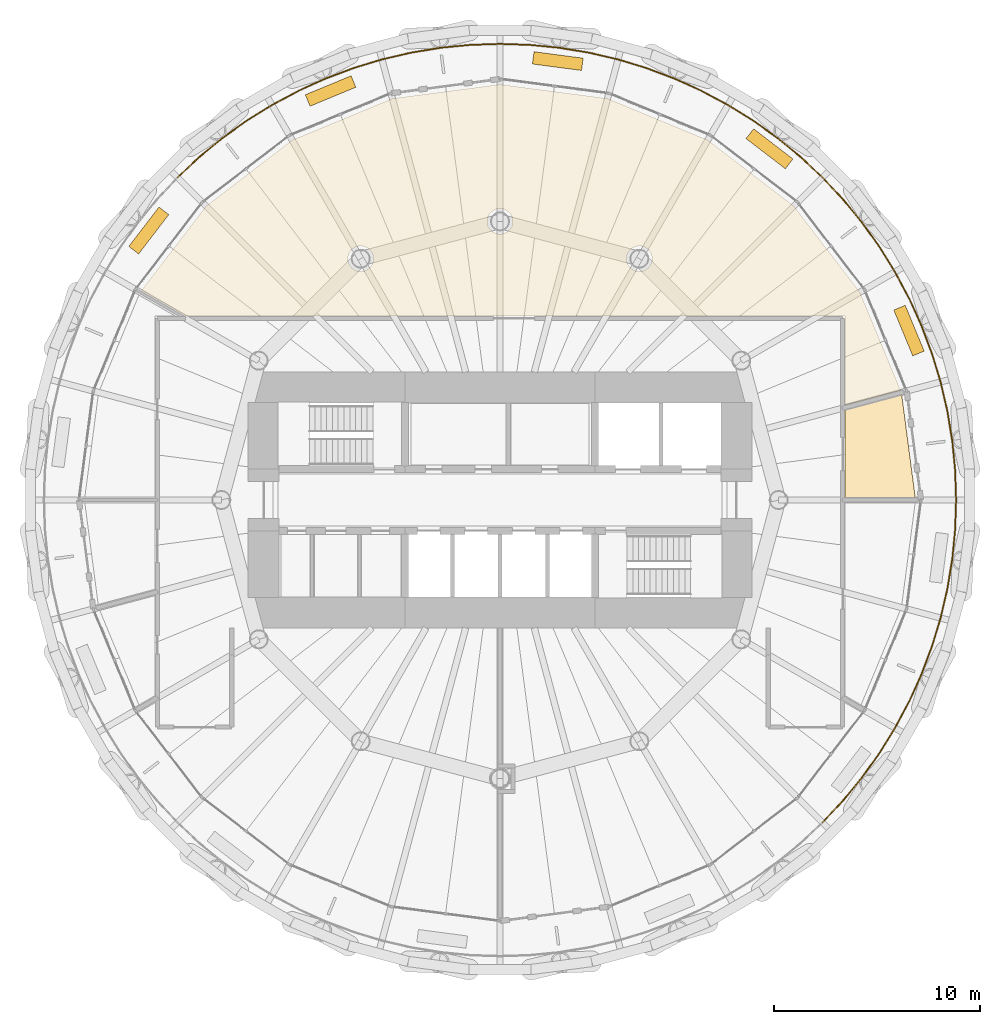
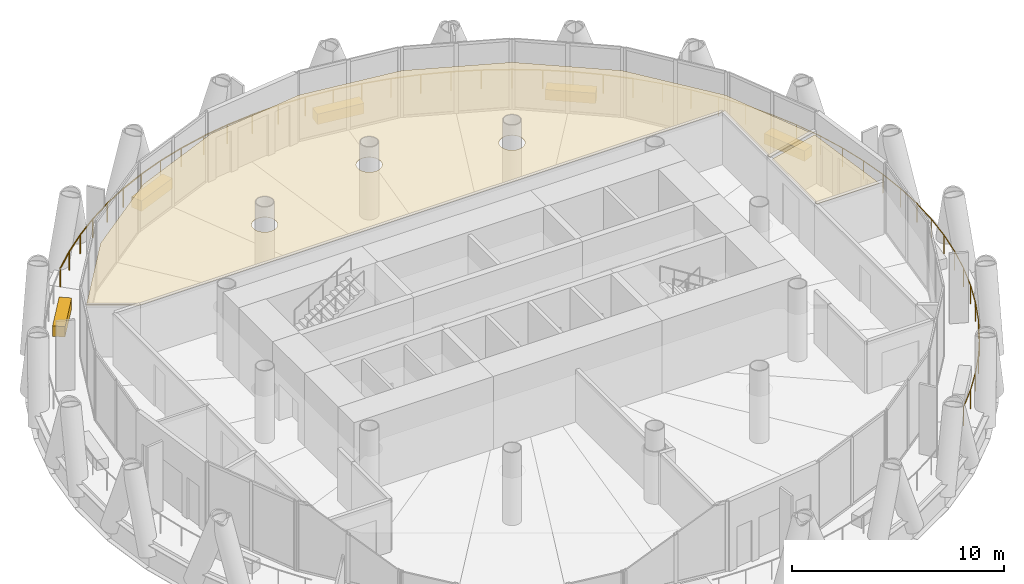
# One storey, part 14 of 14: 7 coverings, 2 railings.
"""IFC4 building model written with IfcOpenShell, lengths in metres."""

from ifc_helpers import new_model, si_unit, direction, frame, origin, origin_2d, place, context, subcontext, project, spatial, polyline, rectangle, circle, outline, extrude, material, layer, layer_set, type_object, element, save


model = new_model("IFC4")

# Units and contexts
model_context = context("Model", 3, precision=1e-05, world=origin(), true_north=direction((0.0, 1.0)))
body_context = subcontext(model_context, "Body", "Model", "MODEL_VIEW")
ifc_project = project(units=[si_unit("LENGTHUNIT", "METRE"), si_unit("AREAUNIT", "SQUARE_METRE"), si_unit("VOLUMEUNIT", "CUBIC_METRE"), si_unit("PLANEANGLEUNIT", "RADIAN"), si_unit("MASSUNIT", "GRAM", prefix="KILO")], contexts=[model_context])

# Site, building, storey
site_placement = place(None, origin())
site = spatial("IfcSite", under=ifc_project, at=site_placement, CompositionType="ELEMENT")
building_placement = place(site_placement, origin())
building = spatial("IfcBuilding", under=site, at=building_placement, Name="Qaws Media Tower", CompositionType="ELEMENT")
storey_placement = place(building_placement, frame((0.0, 0.0, 215.0)))
storey = spatial("IfcBuildingStorey", under=building, at=storey_placement, Name="L49", CompositionType="ELEMENT", Elevation=215.0)

# Railings
ifc_material_1 = material(Name="Stainless steel and glass guard", Category="steel")
railing_type = type_object("IfcRailingType", Name="Balcony guard 1100", PredefinedType="GUARDRAIL", material=ifc_material_1)
railing_1_placement = place(storey_placement, frame((75.626953125, 65.626953125, 0.0)))
element("IfcRailing", 1, at=railing_1_placement, inside=storey, type_object=railing_type, Name="GR1 balcony guard L49-1", PredefinedType="GUARDRAIL", context=body_context, shape_type="SweptSolid", body=[
    extrude(circle(Radius=0.02392578125, at=origin_2d()), frame((0.0, 0.0, 1.076171875), z_axis=(-0.729774058644, 0.68368839637, 0.0), x_axis=(-0.68368839637, -0.729774058644, 0.0)), (0.0, 0.0, 1.0), 1.4462890625),
    extrude(circle(Radius=0.02392578125, at=origin_2d()), frame((-1.055419921875, 0.98876953125, 1.076171875), z_axis=(-0.773001196488, 0.63440456353, 0.0), x_axis=(-0.63440456353, -0.773001196488, 0.0)), (0.0, 0.0, 1.0), 1.4462890625),
    extrude(circle(Radius=0.02392578125, at=origin_2d()), frame((-2.17333984375, 1.90625, 1.076171875), z_axis=(-0.81287707376, 0.582435286495, 0.0), x_axis=(-0.582435286495, -0.81287707376, 0.0)), (0.0, 0.0, 1.0), 1.446044921875),
    extrude(circle(Radius=0.02392578125, at=origin_2d()), frame((-3.348876953125, 2.74853515625, 1.076171875), z_axis=(-0.849191203705, 0.528085504014, 0.0), x_axis=(-0.528085504014, -0.849191203705, 0.0)), (0.0, 0.0, 1.0), 1.446044921875),
    extrude(circle(Radius=0.02392578125, at=origin_2d()), frame((-4.576904296875, 3.51220703125, 1.076171875), z_axis=(-0.881941349083, 0.471359159005, 0.0), x_axis=(-0.471359159005, -0.881941349083, 0.0)), (0.0, 0.0, 1.0), 1.446044921875),
    extrude(circle(Radius=0.02392578125, at=origin_2d()), frame((-5.852294921875, 4.19384765625, 1.076171875), z_axis=(-0.91085721218, 0.412721624125, 0.0), x_axis=(-0.412721624125, -0.91085721218, 0.0)), (0.0, 0.0, 1.0), 1.4462890625),
    extrude(circle(Radius=0.02392578125, at=origin_2d()), frame((-7.169677734375, 4.790771484375, 1.076171875), z_axis=(-0.935884434721, 0.35230714561, 0.0), x_axis=(-0.35230714561, -0.935884434721, 0.0)), (0.0, 0.0, 1.0), 1.4462890625),
    extrude(circle(Radius=0.02392578125, at=origin_2d()), frame((-8.523193359375, 5.30029296875, 1.076171875), z_axis=(-0.956957640218, 0.290227625888, 0.0), x_axis=(-0.290227625888, -0.956957640218, 0.0)), (0.0, 0.0, 1.0), 1.446044921875),
    extrude(circle(Radius=0.02392578125, at=origin_2d()), frame((-9.906982421875, 5.719970703125, 1.076171875), z_axis=(-0.97388228529, 0.227053505584, 0.0), x_axis=(-0.227053505584, -0.97388228529, 0.0)), (0.0, 0.0, 1.0), 1.4462890625),
    extrude(circle(Radius=0.02392578125, at=origin_2d()), frame((-11.3154296875, 6.04833984375, 1.076171875), z_axis=(-0.986643695772, 0.162893270559, 0.0), x_axis=(-0.162893270559, -0.986643695772, 0.0)), (0.0, 0.0, 1.0), 1.4462890625),
    extrude(circle(Radius=0.02392578125, at=origin_2d()), frame((-12.742431640625, 6.283935546875, 1.076171875), z_axis=(-0.995178249928, 0.098082877559, 0.0), x_axis=(-0.098082877559, -0.995178249928, 0.0)), (0.0, 0.0, 1.0), 1.4462890625),
    extrude(circle(Radius=0.02392578125, at=origin_2d()), frame((-14.181640625, 6.42578125, 1.076171875), z_axis=(-0.999463486772, 0.032752688587, 0.0), x_axis=(-0.032752688587, -0.999463486772, 0.0)), (0.0, 0.0, 1.0), 1.446044921875),
    extrude(circle(Radius=0.02392578125, at=origin_2d()), frame((-15.626953125, 6.47314453125, 1.076171875), z_axis=(-0.999463486772, -0.032752688587, 0.0), x_axis=(0.032752688587, -0.999463486772, 0.0)), (0.0, 0.0, 1.0), 1.446044921875),
    extrude(circle(Radius=0.02392578125, at=origin_2d()), frame((-17.072265625, 6.42578125, 1.076171875), z_axis=(-0.995178249928, -0.098082877559, 0.0), x_axis=(0.098082877559, -0.995178249928, 0.0)), (0.0, 0.0, 1.0), 1.4462890625),
    extrude(circle(Radius=0.02392578125, at=origin_2d()), frame((-18.511474609375, 6.283935546875, 1.076171875), z_axis=(-0.986643695772, -0.162893270559, 0.0), x_axis=(0.162893270559, -0.986643695772, 0.0)), (0.0, 0.0, 1.0), 1.4462890625),
    extrude(circle(Radius=0.02392578125, at=origin_2d()), frame((-19.9384765625, 6.04833984375, 1.076171875), z_axis=(-0.97388228529, -0.227053505584, 0.0), x_axis=(0.227053505584, -0.97388228529, 0.0)), (0.0, 0.0, 1.0), 1.4462890625),
    extrude(circle(Radius=0.02392578125, at=origin_2d()), frame((-21.346923828125, 5.719970703125, 1.076171875), z_axis=(-0.956957640218, -0.290227625888, 0.0), x_axis=(0.290227625888, -0.956957640218, 0.0)), (0.0, 0.0, 1.0), 1.446044921875),
    extrude(circle(Radius=0.02392578125, at=origin_2d()), frame((-22.730712890625, 5.30029296875, 1.076171875), z_axis=(-0.935884434721, -0.35230714561, 0.0), x_axis=(0.35230714561, -0.935884434721, 0.0)), (0.0, 0.0, 1.0), 1.4462890625),
    extrude(circle(Radius=0.02392578125, at=origin_2d()), frame((-24.084228515625, 4.790771484375, 1.076171875), z_axis=(-0.91085721218, -0.412721624125, 0.0), x_axis=(0.412721624125, -0.91085721218, 0.0)), (0.0, 0.0, 1.0), 1.4462890625),
    extrude(circle(Radius=0.02392578125, at=origin_2d()), frame((-25.401611328125, 4.19384765625, 1.076171875), z_axis=(-0.881941349083, -0.471359159005, 0.0), x_axis=(0.471359159005, -0.881941349083, 0.0)), (0.0, 0.0, 1.0), 1.446044921875),
    extrude(circle(Radius=0.02392578125, at=origin_2d()), frame((-26.677001953125, 3.51220703125, 1.076171875), z_axis=(-0.849191203705, -0.528085504014, 0.0), x_axis=(0.528085504014, -0.849191203705, 0.0)), (0.0, 0.0, 1.0), 1.446044921875),
    extrude(circle(Radius=0.02392578125, at=origin_2d()), frame((-27.905029296875, 2.74853515625, 1.076171875), z_axis=(-0.81287707376, -0.582435286495, 0.0), x_axis=(0.582435286495, -0.81287707376, 0.0)), (0.0, 0.0, 1.0), 1.446044921875),
    extrude(circle(Radius=0.02392578125, at=origin_2d()), frame((-29.08056640625, 1.90625, 1.076171875), z_axis=(-0.773001196488, -0.63440456353, 0.0), x_axis=(0.63440456353, -0.773001196488, 0.0)), (0.0, 0.0, 1.0), 1.4462890625),
    extrude(circle(Radius=0.02392578125, at=origin_2d()), frame((-30.198486328125, 0.98876953125, 1.076171875), z_axis=(-0.729774058644, -0.68368839637, 0.0), x_axis=(0.68368839637, -0.729774058644, 0.0)), (0.0, 0.0, 1.0), 1.4462890625),
    extrude(circle(Radius=0.02099609375, at=origin_2d()), origin(), (0.0, 0.0, 1.0), 1.052001953125),
    extrude(circle(Radius=0.02099609375, at=origin_2d()), frame((-1.055419921875, 0.98876953125, 0.0)), (0.0, 0.0, 1.0), 1.052001953125),
    extrude(circle(Radius=0.02099609375, at=origin_2d()), frame((-2.17333984375, 1.90625, 0.0)), (0.0, 0.0, 1.0), 1.052001953125),
    extrude(circle(Radius=0.02099609375, at=origin_2d()), frame((-3.348876953125, 2.74853515625, 0.0)), (0.0, 0.0, 1.0), 1.052001953125),
    extrude(circle(Radius=0.02099609375, at=origin_2d()), frame((-4.576904296875, 3.51220703125, 0.0)), (0.0, 0.0, 1.0), 1.052001953125),
    extrude(circle(Radius=0.02099609375, at=origin_2d()), frame((-5.852294921875, 4.19384765625, 0.0)), (0.0, 0.0, 1.0), 1.052001953125),
    extrude(circle(Radius=0.02099609375, at=origin_2d()), frame((-7.169677734375, 4.790771484375, 0.0)), (0.0, 0.0, 1.0), 1.052001953125),
    extrude(circle(Radius=0.02099609375, at=origin_2d()), frame((-8.523193359375, 5.30029296875, 0.0)), (0.0, 0.0, 1.0), 1.052001953125),
    extrude(circle(Radius=0.02099609375, at=origin_2d()), frame((-9.906982421875, 5.719970703125, 0.0)), (0.0, 0.0, 1.0), 1.052001953125),
    extrude(circle(Radius=0.02099609375, at=origin_2d()), frame((-11.3154296875, 6.04833984375, 0.0)), (0.0, 0.0, 1.0), 1.052001953125),
    extrude(circle(Radius=0.02099609375, at=origin_2d()), frame((-12.742431640625, 6.283935546875, 0.0)), (0.0, 0.0, 1.0), 1.052001953125),
    extrude(circle(Radius=0.02099609375, at=origin_2d()), frame((-14.181640625, 6.42578125, 0.0)), (0.0, 0.0, 1.0), 1.052001953125),
    extrude(circle(Radius=0.02099609375, at=origin_2d()), frame((-15.626953125, 6.47314453125, 0.0)), (0.0, 0.0, 1.0), 1.052001953125),
    extrude(circle(Radius=0.02099609375, at=origin_2d()), frame((-17.072265625, 6.42578125, 0.0)), (0.0, 0.0, 1.0), 1.052001953125),
    extrude(circle(Radius=0.02099609375, at=origin_2d()), frame((-18.511474609375, 6.283935546875, 0.0)), (0.0, 0.0, 1.0), 1.052001953125),
    extrude(circle(Radius=0.02099609375, at=origin_2d()), frame((-19.9384765625, 6.04833984375, 0.0)), (0.0, 0.0, 1.0), 1.052001953125),
    extrude(circle(Radius=0.02099609375, at=origin_2d()), frame((-21.346923828125, 5.719970703125, 0.0)), (0.0, 0.0, 1.0), 1.052001953125),
    extrude(circle(Radius=0.02099609375, at=origin_2d()), frame((-22.730712890625, 5.30029296875, 0.0)), (0.0, 0.0, 1.0), 1.052001953125),
    extrude(circle(Radius=0.02099609375, at=origin_2d()), frame((-24.084228515625, 4.790771484375, 0.0)), (0.0, 0.0, 1.0), 1.052001953125),
    extrude(circle(Radius=0.02099609375, at=origin_2d()), frame((-25.401611328125, 4.19384765625, 0.0)), (0.0, 0.0, 1.0), 1.052001953125),
    extrude(circle(Radius=0.02099609375, at=origin_2d()), frame((-26.677001953125, 3.51220703125, 0.0)), (0.0, 0.0, 1.0), 1.052001953125),
    extrude(circle(Radius=0.02099609375, at=origin_2d()), frame((-27.905029296875, 2.74853515625, 0.0)), (0.0, 0.0, 1.0), 1.052001953125),
    extrude(circle(Radius=0.02099609375, at=origin_2d()), frame((-29.08056640625, 1.90625, 0.0)), (0.0, 0.0, 1.0), 1.052001953125),
    extrude(circle(Radius=0.02099609375, at=origin_2d()), frame((-30.198486328125, 0.98876953125, 0.0)), (0.0, 0.0, 1.0), 1.052001953125),
    extrude(circle(Radius=0.02099609375, at=origin_2d()), frame((-31.25390625, 0.0, 0.0)), (0.0, 0.0, 1.0), 1.052001953125),
])
railing_2_placement = place(storey_placement, frame((75.626953125, 34.373046875, 0.0)))
element("IfcRailing", 2, at=railing_2_placement, inside=storey, type_object=railing_type, Name="GR1 balcony guard L49-4", PredefinedType="GUARDRAIL", context=body_context, shape_type="SweptSolid", body=[
    extrude(circle(Radius=0.02392578125, at=origin_2d()), frame((0.0, 0.0, 1.076171875), z_axis=(0.68368839637, 0.729774058644, 0.0), x_axis=(-0.729774058644, 0.68368839637, 0.0)), (0.0, 0.0, 1.0), 1.4462890625),
    extrude(circle(Radius=0.02392578125, at=origin_2d()), frame((0.98876953125, 1.055419921875, 1.076171875), z_axis=(0.63440456353, 0.773001196488, 0.0), x_axis=(-0.773001196488, 0.63440456353, 0.0)), (0.0, 0.0, 1.0), 1.4462890625),
    extrude(circle(Radius=0.02392578125, at=origin_2d()), frame((1.90625, 2.17333984375, 1.076171875), z_axis=(0.582435286495, 0.81287707376, 0.0), x_axis=(-0.81287707376, 0.582435286495, 0.0)), (0.0, 0.0, 1.0), 1.446044921875),
    extrude(circle(Radius=0.02392578125, at=origin_2d()), frame((2.74853515625, 3.348876953125, 1.076171875), z_axis=(0.528085504014, 0.849191203705, 0.0), x_axis=(-0.849191203705, 0.528085504014, 0.0)), (0.0, 0.0, 1.0), 1.446044921875),
    extrude(circle(Radius=0.02392578125, at=origin_2d()), frame((3.51220703125, 4.576904296875, 1.076171875), z_axis=(0.471359159005, 0.881941349083, 0.0), x_axis=(-0.881941349083, 0.471359159005, 0.0)), (0.0, 0.0, 1.0), 1.446044921875),
    extrude(circle(Radius=0.02392578125, at=origin_2d()), frame((4.19384765625, 5.852294921875, 1.076171875), z_axis=(0.412721624125, 0.91085721218, 0.0), x_axis=(-0.91085721218, 0.412721624125, 0.0)), (0.0, 0.0, 1.0), 1.4462890625),
    extrude(circle(Radius=0.02392578125, at=origin_2d()), frame((4.790771484375, 7.169677734375, 1.076171875), z_axis=(0.35230714561, 0.935884434721, 0.0), x_axis=(-0.935884434721, 0.35230714561, 0.0)), (0.0, 0.0, 1.0), 1.4462890625),
    extrude(circle(Radius=0.02392578125, at=origin_2d()), frame((5.30029296875, 8.523193359375, 1.076171875), z_axis=(0.290227625888, 0.956957640218, 0.0), x_axis=(-0.956957640218, 0.290227625888, 0.0)), (0.0, 0.0, 1.0), 1.446044921875),
    extrude(circle(Radius=0.02392578125, at=origin_2d()), frame((5.719970703125, 9.906982421875, 1.076171875), z_axis=(0.227053505584, 0.97388228529, 0.0), x_axis=(-0.97388228529, 0.227053505584, 0.0)), (0.0, 0.0, 1.0), 1.4462890625),
    extrude(circle(Radius=0.02392578125, at=origin_2d()), frame((6.04833984375, 11.3154296875, 1.076171875), z_axis=(0.162893270559, 0.986643695772, 0.0), x_axis=(-0.986643695772, 0.162893270559, 0.0)), (0.0, 0.0, 1.0), 1.4462890625),
    extrude(circle(Radius=0.02392578125, at=origin_2d()), frame((6.283935546875, 12.742431640625, 1.076171875), z_axis=(0.098082877559, 0.995178249928, 0.0), x_axis=(-0.995178249928, 0.098082877559, 0.0)), (0.0, 0.0, 1.0), 1.4462890625),
    extrude(circle(Radius=0.02392578125, at=origin_2d()), frame((6.42578125, 14.181640625, 1.076171875), z_axis=(0.032752688587, 0.999463486772, 0.0), x_axis=(-0.999463486772, 0.032752688587, 0.0)), (0.0, 0.0, 1.0), 1.446044921875),
    extrude(circle(Radius=0.02392578125, at=origin_2d()), frame((6.47314453125, 15.626953125, 1.076171875), z_axis=(-0.032752688587, 0.999463486772, 0.0), x_axis=(-0.999463486772, -0.032752688587, 0.0)), (0.0, 0.0, 1.0), 1.446044921875),
    extrude(circle(Radius=0.02392578125, at=origin_2d()), frame((6.42578125, 17.072265625, 1.076171875), z_axis=(-0.098082877559, 0.995178249928, 0.0), x_axis=(-0.995178249928, -0.098082877559, 0.0)), (0.0, 0.0, 1.0), 1.4462890625),
    extrude(circle(Radius=0.02392578125, at=origin_2d()), frame((6.283935546875, 18.511474609375, 1.076171875), z_axis=(-0.162893270559, 0.986643695772, 0.0), x_axis=(-0.986643695772, -0.162893270559, 0.0)), (0.0, 0.0, 1.0), 1.4462890625),
    extrude(circle(Radius=0.02392578125, at=origin_2d()), frame((6.04833984375, 19.9384765625, 1.076171875), z_axis=(-0.227053505584, 0.97388228529, 0.0), x_axis=(-0.97388228529, -0.227053505584, 0.0)), (0.0, 0.0, 1.0), 1.4462890625),
    extrude(circle(Radius=0.02392578125, at=origin_2d()), frame((5.719970703125, 21.346923828125, 1.076171875), z_axis=(-0.290227625888, 0.956957640218, 0.0), x_axis=(-0.956957640218, -0.290227625888, 0.0)), (0.0, 0.0, 1.0), 1.446044921875),
    extrude(circle(Radius=0.02392578125, at=origin_2d()), frame((5.30029296875, 22.730712890625, 1.076171875), z_axis=(-0.35230714561, 0.935884434721, 0.0), x_axis=(-0.935884434721, -0.35230714561, 0.0)), (0.0, 0.0, 1.0), 1.4462890625),
    extrude(circle(Radius=0.02392578125, at=origin_2d()), frame((4.790771484375, 24.084228515625, 1.076171875), z_axis=(-0.412721624125, 0.91085721218, 0.0), x_axis=(-0.91085721218, -0.412721624125, 0.0)), (0.0, 0.0, 1.0), 1.4462890625),
    extrude(circle(Radius=0.02392578125, at=origin_2d()), frame((4.19384765625, 25.401611328125, 1.076171875), z_axis=(-0.471359159005, 0.881941349083, 0.0), x_axis=(-0.881941349083, -0.471359159005, 0.0)), (0.0, 0.0, 1.0), 1.446044921875),
    extrude(circle(Radius=0.02392578125, at=origin_2d()), frame((3.51220703125, 26.677001953125, 1.076171875), z_axis=(-0.528085504014, 0.849191203705, 0.0), x_axis=(-0.849191203705, -0.528085504014, 0.0)), (0.0, 0.0, 1.0), 1.446044921875),
    extrude(circle(Radius=0.02392578125, at=origin_2d()), frame((2.74853515625, 27.905029296875, 1.076171875), z_axis=(-0.582435286495, 0.81287707376, 0.0), x_axis=(-0.81287707376, -0.582435286495, 0.0)), (0.0, 0.0, 1.0), 1.446044921875),
    extrude(circle(Radius=0.02392578125, at=origin_2d()), frame((1.90625, 29.08056640625, 1.076171875), z_axis=(-0.63440456353, 0.773001196488, 0.0), x_axis=(-0.773001196488, -0.63440456353, 0.0)), (0.0, 0.0, 1.0), 1.4462890625),
    extrude(circle(Radius=0.02392578125, at=origin_2d()), frame((0.98876953125, 30.198486328125, 1.076171875), z_axis=(-0.68368839637, 0.729774058644, 0.0), x_axis=(-0.729774058644, -0.68368839637, 0.0)), (0.0, 0.0, 1.0), 1.4462890625),
    extrude(circle(Radius=0.02099609375, at=origin_2d()), origin(), (0.0, 0.0, 1.0), 1.052001953125),
    extrude(circle(Radius=0.02099609375, at=origin_2d()), frame((0.98876953125, 1.055419921875, 0.0)), (0.0, 0.0, 1.0), 1.052001953125),
    extrude(circle(Radius=0.02099609375, at=origin_2d()), frame((1.90625, 2.17333984375, 0.0)), (0.0, 0.0, 1.0), 1.052001953125),
    extrude(circle(Radius=0.02099609375, at=origin_2d()), frame((2.74853515625, 3.348876953125, 0.0)), (0.0, 0.0, 1.0), 1.052001953125),
    extrude(circle(Radius=0.02099609375, at=origin_2d()), frame((3.51220703125, 4.576904296875, 0.0)), (0.0, 0.0, 1.0), 1.052001953125),
    extrude(circle(Radius=0.02099609375, at=origin_2d()), frame((4.19384765625, 5.852294921875, 0.0)), (0.0, 0.0, 1.0), 1.052001953125),
    extrude(circle(Radius=0.02099609375, at=origin_2d()), frame((4.790771484375, 7.169677734375, 0.0)), (0.0, 0.0, 1.0), 1.052001953125),
    extrude(circle(Radius=0.02099609375, at=origin_2d()), frame((5.30029296875, 8.523193359375, 0.0)), (0.0, 0.0, 1.0), 1.052001953125),
    extrude(circle(Radius=0.02099609375, at=origin_2d()), frame((5.719970703125, 9.906982421875, 0.0)), (0.0, 0.0, 1.0), 1.052001953125),
    extrude(circle(Radius=0.02099609375, at=origin_2d()), frame((6.04833984375, 11.3154296875, 0.0)), (0.0, 0.0, 1.0), 1.052001953125),
    extrude(circle(Radius=0.02099609375, at=origin_2d()), frame((6.283935546875, 12.742431640625, 0.0)), (0.0, 0.0, 1.0), 1.052001953125),
    extrude(circle(Radius=0.02099609375, at=origin_2d()), frame((6.42578125, 14.181640625, 0.0)), (0.0, 0.0, 1.0), 1.052001953125),
    extrude(circle(Radius=0.02099609375, at=origin_2d()), frame((6.47314453125, 15.626953125, 0.0)), (0.0, 0.0, 1.0), 1.052001953125),
    extrude(circle(Radius=0.02099609375, at=origin_2d()), frame((6.42578125, 17.072265625, 0.0)), (0.0, 0.0, 1.0), 1.052001953125),
    extrude(circle(Radius=0.02099609375, at=origin_2d()), frame((6.283935546875, 18.511474609375, 0.0)), (0.0, 0.0, 1.0), 1.052001953125),
    extrude(circle(Radius=0.02099609375, at=origin_2d()), frame((6.04833984375, 19.9384765625, 0.0)), (0.0, 0.0, 1.0), 1.052001953125),
    extrude(circle(Radius=0.02099609375, at=origin_2d()), frame((5.719970703125, 21.346923828125, 0.0)), (0.0, 0.0, 1.0), 1.052001953125),
    extrude(circle(Radius=0.02099609375, at=origin_2d()), frame((5.30029296875, 22.730712890625, 0.0)), (0.0, 0.0, 1.0), 1.052001953125),
    extrude(circle(Radius=0.02099609375, at=origin_2d()), frame((4.790771484375, 24.084228515625, 0.0)), (0.0, 0.0, 1.0), 1.052001953125),
    extrude(circle(Radius=0.02099609375, at=origin_2d()), frame((4.19384765625, 25.401611328125, 0.0)), (0.0, 0.0, 1.0), 1.052001953125),
    extrude(circle(Radius=0.02099609375, at=origin_2d()), frame((3.51220703125, 26.677001953125, 0.0)), (0.0, 0.0, 1.0), 1.052001953125),
    extrude(circle(Radius=0.02099609375, at=origin_2d()), frame((2.74853515625, 27.905029296875, 0.0)), (0.0, 0.0, 1.0), 1.052001953125),
    extrude(circle(Radius=0.02099609375, at=origin_2d()), frame((1.90625, 29.08056640625, 0.0)), (0.0, 0.0, 1.0), 1.052001953125),
    extrude(circle(Radius=0.02099609375, at=origin_2d()), frame((0.98876953125, 30.198486328125, 0.0)), (0.0, 0.0, 1.0), 1.052001953125),
    extrude(circle(Radius=0.02099609375, at=origin_2d()), frame((0.0, 31.25390625, 0.0)), (0.0, 0.0, 1.0), 1.052001953125),
])

# Coverings
ifc_material_2 = material(Name="600 x 600 mineral fibre tiles in exposed grid, suspended", Category="mineral fibre")
ifc_layer_1 = layer(ifc_material_2, 0.02001953125)
ifc_layer_set_1 = layer_set([ifc_layer_1], Name="Mineral fibre tile ceiling 20")
covering_type_1 = type_object("IfcCoveringType", Name="Mineral fibre tile ceiling 20", PredefinedType="CEILING", material=ifc_layer_set_1)
covering_1_placement = place(storey_placement, frame((0.0, 0.0, 2.85009765625)))
element("IfcCovering", 3, at=covering_1_placement, inside=storey, type_object=covering_type_1, Name="CL1 ceiling L49-03 Tenant office", PredefinedType="CEILING", context=body_context, shape_type="SweptSolid", body=[
    extrude(outline(polyline([(45.76220703125, 64.23779296875), (49.932373046875, 67.4375), (54.78857421875, 69.44921875), (60.0, 70.13525390625), (65.21142578125, 69.44921875), (70.067626953125, 67.4375), (74.23779296875, 64.23779296875), (77.4375, 60.067626953125), (79.40576171875, 55.316162109375), (76.71240234375, 54.594482421875), (76.71240234375, 58.91259765625), (44.7880859375, 58.91259765625), (42.631591796875, 60.15771484375), (45.76220703125, 64.23779296875)]), holes=[polyline([(53.820068359375, 61.455078125), (53.845947265625, 61.53173828125), (53.86181640625, 61.61083984375), (53.866943359375, 61.69140625), (53.86181640625, 61.77197265625), (53.845947265625, 61.85107421875), (53.820068359375, 61.927490234375), (53.7841796875, 61.999755859375), (53.739501953125, 62.06689453125), (53.686279296875, 62.127685546875), (53.62548828125, 62.180908203125), (53.55859375, 62.2255859375), (53.486083984375, 62.261474609375), (53.40966796875, 62.287353515625), (53.33056640625, 62.302978515625), (53.25, 62.308349609375), (53.16943359375, 62.302978515625), (53.09033203125, 62.287353515625), (53.013916015625, 62.261474609375), (52.94140625, 62.2255859375), (52.87451171875, 62.180908203125), (52.813720703125, 62.127685546875), (52.760498046875, 62.06689453125), (52.7158203125, 61.999755859375), (52.679931640625, 61.927490234375), (52.654052734375, 61.85107421875), (52.63818359375, 61.77197265625), (52.633056640625, 61.69140625), (52.63818359375, 61.61083984375), (52.654052734375, 61.53173828125), (52.679931640625, 61.455078125), (52.7158203125, 61.3828125), (52.760498046875, 61.315673828125), (52.813720703125, 61.255126953125), (52.87451171875, 61.201904296875), (52.94140625, 61.156982421875), (53.013916015625, 61.121337890625), (53.09033203125, 61.095458984375), (53.16943359375, 61.07958984375), (53.25, 61.07421875), (53.33056640625, 61.07958984375), (53.40966796875, 61.095458984375), (53.486083984375, 61.121337890625), (53.55859375, 61.156982421875), (53.62548828125, 61.201904296875), (53.686279296875, 61.255126953125), (53.739501953125, 61.315673828125), (53.7841796875, 61.3828125), (53.820068359375, 61.455078125)]), polyline([(60.570068359375, 63.263916015625), (60.595947265625, 63.34033203125), (60.61181640625, 63.41943359375), (60.616943359375, 63.5), (60.61181640625, 63.58056640625), (60.595947265625, 63.65966796875), (60.570068359375, 63.736083984375), (60.5341796875, 63.80859375), (60.489501953125, 63.87548828125), (60.436279296875, 63.936279296875), (60.37548828125, 63.989501953125), (60.30859375, 64.0341796875), (60.236083984375, 64.070068359375), (60.15966796875, 64.095947265625), (60.08056640625, 64.11181640625), (60.0, 64.116943359375), (59.91943359375, 64.11181640625), (59.84033203125, 64.095947265625), (59.763916015625, 64.070068359375), (59.69140625, 64.0341796875), (59.62451171875, 63.989501953125), (59.563720703125, 63.936279296875), (59.510498046875, 63.87548828125), (59.4658203125, 63.80859375), (59.429931640625, 63.736083984375), (59.404052734375, 63.65966796875), (59.38818359375, 63.58056640625), (59.383056640625, 63.5), (59.38818359375, 63.41943359375), (59.404052734375, 63.34033203125), (59.429931640625, 63.263916015625), (59.4658203125, 63.19140625), (59.510498046875, 63.12451171875), (59.563720703125, 63.063720703125), (59.62451171875, 63.010498046875), (59.69140625, 62.9658203125), (59.763916015625, 62.929931640625), (59.84033203125, 62.904052734375), (59.91943359375, 62.88818359375), (60.0, 62.883056640625), (60.08056640625, 62.88818359375), (60.15966796875, 62.904052734375), (60.236083984375, 62.929931640625), (60.30859375, 62.9658203125), (60.37548828125, 63.010498046875), (60.436279296875, 63.063720703125), (60.489501953125, 63.12451171875), (60.5341796875, 63.19140625), (60.570068359375, 63.263916015625)]), polyline([(67.320068359375, 61.455078125), (67.345947265625, 61.53173828125), (67.36181640625, 61.61083984375), (67.366943359375, 61.69140625), (67.36181640625, 61.77197265625), (67.345947265625, 61.85107421875), (67.320068359375, 61.927490234375), (67.2841796875, 61.999755859375), (67.239501953125, 62.06689453125), (67.186279296875, 62.127685546875), (67.12548828125, 62.180908203125), (67.05859375, 62.2255859375), (66.986083984375, 62.261474609375), (66.90966796875, 62.287353515625), (66.83056640625, 62.302978515625), (66.75, 62.308349609375), (66.66943359375, 62.302978515625), (66.59033203125, 62.287353515625), (66.513916015625, 62.261474609375), (66.44140625, 62.2255859375), (66.37451171875, 62.180908203125), (66.313720703125, 62.127685546875), (66.260498046875, 62.06689453125), (66.2158203125, 61.999755859375), (66.179931640625, 61.927490234375), (66.154052734375, 61.85107421875), (66.13818359375, 61.77197265625), (66.133056640625, 61.69140625), (66.13818359375, 61.61083984375), (66.154052734375, 61.53173828125), (66.179931640625, 61.455078125), (66.2158203125, 61.3828125), (66.260498046875, 61.315673828125), (66.313720703125, 61.255126953125), (66.37451171875, 61.201904296875), (66.44140625, 61.156982421875), (66.513916015625, 61.121337890625), (66.59033203125, 61.095458984375), (66.66943359375, 61.07958984375), (66.75, 61.07421875), (66.83056640625, 61.07958984375), (66.90966796875, 61.095458984375), (66.986083984375, 61.121337890625), (67.05859375, 61.156982421875), (67.12548828125, 61.201904296875), (67.186279296875, 61.255126953125), (67.239501953125, 61.315673828125), (67.2841796875, 61.3828125), (67.320068359375, 61.455078125)])]), origin(), (0.0, 0.0, 1.0), 0.02001953125),
])
ifc_material_3 = material(Name="Precast concrete planter with trailing planting", Category="concrete")
ifc_layer_2 = layer(ifc_material_3, 0.60009765625)
ifc_layer_set_2 = layer_set([ifc_layer_2], Name="Planter 2400x600")
covering_type_2 = type_object("IfcCoveringType", Name="Planter 2400x600", PredefinedType="USERDEFINED", material=ifc_layer_set_2)
for number, where, z_axis, x_axis, name in (
    (4, (79.817138671875, 58.20849609375, 0.0), (0.0, 0.0, 1.0), (-0.382683432365, 0.923879532511, 0.0), "PL1 balcony planter L49-01"),
    (5, (73.057861328125, 67.017333984375, 0.0), (0.0, 0.0, 1.0), (-0.793353340291, 0.608761429009, 0.0), "PL1 balcony planter L49-02"),
    (6, (62.7998046875, 71.2666015625, 0.0), (0.0, 0.0, 1.0), (-0.991444861374, 0.13052619222, 0.0), "PL1 balcony planter L49-03"),
    (7, (51.79150390625, 69.817138671875, 0.0), (0.0, 0.0, 1.0), (-0.923879532511, -0.382683432365, 0.0), "PL1 balcony planter L49-04"),
    (8, (42.982666015625, 63.057861328125, 0.0), (0.0, 0.0, 1.0), (-0.608761429009, -0.793353340291, 0.0), "PL1 balcony planter L49-05"),
):
    element("IfcCovering", number, at=place(storey_placement, frame(where, z_axis=z_axis, x_axis=x_axis)), inside=storey, type_object=covering_type_2, Name=name, ObjectType="PLANTER", PredefinedType="USERDEFINED", context=body_context, shape_type="SweptSolid", body=[
        extrude(rectangle(XDim=2.39990234375, YDim=0.60009765625, at=origin_2d()), origin(), (0.0, 0.0, 1.0), 0.60009765625),
    ])
ifc_material_4 = material(Name="Two layers 12.5 moisture-resistant plasterboard on suspended metal furring", Category="gypsum")
ifc_layer_3 = layer(ifc_material_4, 0.02490234375)
ifc_layer_set_3 = layer_set([ifc_layer_3], Name="Plasterboard ceiling 25")
covering_type_3 = type_object("IfcCoveringType", Name="Plasterboard ceiling 25", PredefinedType="CEILING", material=ifc_layer_set_3)
covering_2_placement = place(storey_placement, frame((0.0, 0.0, 2.85009765625)))
element("IfcCovering", 9, at=covering_2_placement, inside=storey, type_object=covering_type_3, Name="CL2 ceiling L49-02 Tenant reception", PredefinedType="CEILING", context=body_context, shape_type="SweptSolid", body=[
    extrude(outline(polyline([(80.120361328125, 50.112548828125), (76.71240234375, 50.112548828125), (76.71240234375, 54.361572265625), (79.464111328125, 55.098876953125), (80.120361328125, 50.112548828125)])), origin(), (0.0, 0.0, 1.0), 0.02490234375),
])

save(model, "model.ifc")
